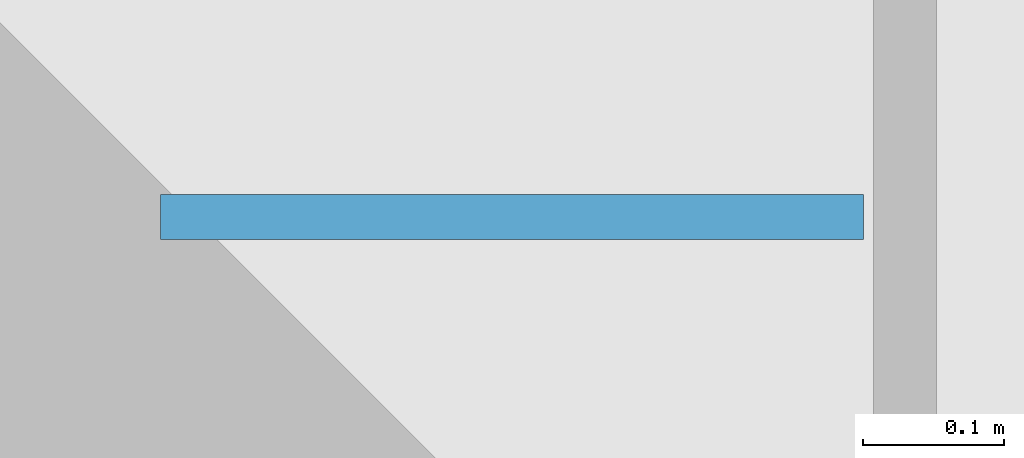
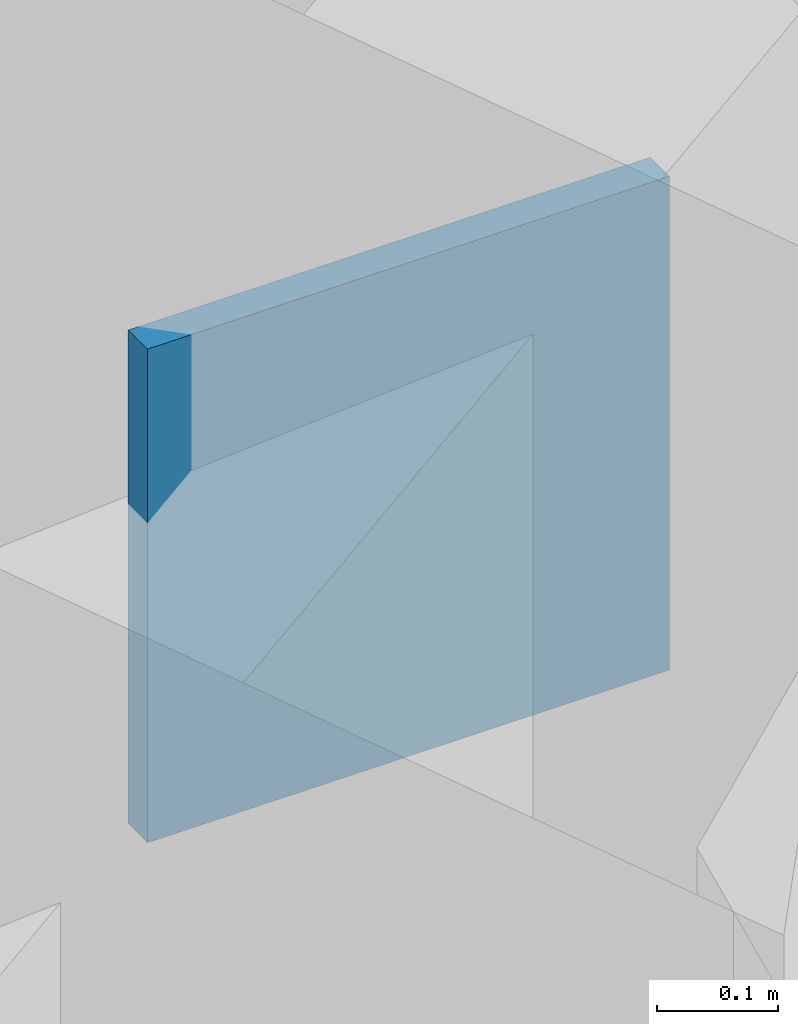
# One storey, part 28 of 45: 1 plate.
"""IFC4 building model written with IfcOpenShell, lengths in metres."""

import ifcopenshell
import ifcopenshell.guid

model = None  # the IFC model being written
_history = None  # IfcOwnerHistory: only IFC2X3 demands one
_inside = {}  # id of a spatial element -> (the spatial element, [elements in it])
_under = {}  # id of a project, library or spatial element -> (it, [spatial elements below it])
_declared = {}  # id of a project -> (the project, [libraries it declares])
_typed = {}  # id of a type object -> (the type object, [elements of that type])
_made_of = {}  # id of a material, layer set ... -> (it, [elements and type objects made of it])


def new_model(schema):
    """Start an empty IFC model of exactly this schema.

    Asked for "IFC4X3", IfcOpenShell would pick the latest addendum, in which some entities
    have other attributes; the version numbers below select the first issue.
    IFC2X3 requires an IfcOwnerHistory on every rooted entity: one is made here for all.
    """
    global model, _history
    if schema == "IFC4X3":
        model = ifcopenshell.file(schema_version=(4, 3, 0, 0))
    else:
        model = ifcopenshell.file(schema=schema)
    _inside.clear()
    _under.clear()
    _declared.clear()
    _typed.clear()
    _made_of.clear()
    _history = None
    if model.schema == "IFC2X3":
        org = make("IfcOrganization", Name="unknown")
        user = make(
            "IfcPersonAndOrganization",
            ThePerson=make("IfcPerson", FamilyName="unknown"),
            TheOrganization=org,
        )
        app = make(
            "IfcApplication",
            ApplicationDeveloper=org,
            Version="unknown",
            ApplicationFullName="unknown",
            ApplicationIdentifier="unknown",
        )
        _history = make(
            "IfcOwnerHistory",
            OwningUser=user,
            OwningApplication=app,
            ChangeAction="ADDED",
            CreationDate=0,
        )
    return model


def make(cls, **values):
    """One entity of the class cls with the attributes given. An attribute that is None is left unset."""
    return model.create_entity(
        cls, **{name: value for name, value in values.items() if value is not None}
    )


def rooted(cls, **values):
    """An entity with a GlobalId (a new one), such as an element, a storey or a relation."""
    return make(cls, GlobalId=ifcopenshell.guid.new(), OwnerHistory=_history, **values)


def si_unit(unit_type, name, prefix=None):
    """IfcSIUnit, for example si_unit("LENGTHUNIT", "METRE", prefix="MILLI")."""
    return make("IfcSIUnit", UnitType=unit_type, Prefix=prefix, Name=name)


def assignment(units):
    """IfcUnitAssignment: the units of a project."""
    return None if units is None else make("IfcUnitAssignment", Units=units)


def point(xyz):
    """IfcCartesianPoint."""
    return None if xyz is None else make("IfcCartesianPoint", Coordinates=xyz)


def direction(xyz):
    """IfcDirection."""
    return None if xyz is None else make("IfcDirection", DirectionRatios=xyz)


def frame(location, z_axis=None, x_axis=None):
    """IfcAxis2Placement3D, a coordinate frame: its origin and axes. An axis left out is left unset."""
    return make(
        "IfcAxis2Placement3D",
        Location=point(location),
        Axis=direction(z_axis),
        RefDirection=direction(x_axis),
    )


def frame_2d(location, x_axis=None):
    """IfcAxis2Placement2D, a coordinate frame in the plane: its origin and x axis."""
    return make(
        "IfcAxis2Placement2D", Location=point(location), RefDirection=direction(x_axis)
    )


def origin():
    """The frame at (0, 0, 0) with its axes left unset."""
    return frame((0.0, 0.0, 0.0))


def origin_2d():
    """The frame at (0, 0) in the plane with its x axis left unset."""
    return frame_2d((0.0, 0.0))


def place(relative_to, where):
    """IfcLocalPlacement: puts the frame where relative to a parent placement (None: the world)."""
    return make(
        "IfcLocalPlacement", PlacementRelTo=relative_to, RelativePlacement=where
    )


def context(
    kind, dimensions, precision=None, world=None, true_north=None, identifier=None
):
    """IfcGeometricRepresentationContext, for example the 3D "Model" context."""
    return make(
        "IfcGeometricRepresentationContext",
        ContextIdentifier=identifier,
        ContextType=kind,
        CoordinateSpaceDimension=dimensions,
        Precision=precision,
        WorldCoordinateSystem=world,
        TrueNorth=true_north,
    )


def subcontext(parent, identifier, kind, view, scale=None):
    """IfcGeometricRepresentationSubContext, for example "Body" below "Model"."""
    return make(
        "IfcGeometricRepresentationSubContext",
        ContextIdentifier=identifier,
        ContextType=kind,
        ParentContext=parent,
        TargetScale=scale,
        TargetView=view,
    )


def project(units=None, contexts=None):
    """IfcProject with its units and contexts."""
    return rooted(
        "IfcProject",
        Name="project",
        RepresentationContexts=contexts,
        UnitsInContext=assignment(units),
    )


def spatial(cls, under=None, at=None, **own):
    """A site, building, storey or space (cls), placed at a placement, below another one or the project."""
    s = rooted(cls, ObjectPlacement=at, **own)
    if under is not None:
        _under.setdefault(under.id(), (under, []))[1].append(s)
    return s


def profile(cls, at=None, kind="AREA", **sizes):
    """A parametric profile (cls). Its sizes go by their IFC names, for example OverallWidth=200.0."""
    return make(cls, ProfileType=kind, Position=at, **sizes)


def rectangle(**sizes):
    """IfcRectangleProfileDef."""
    return profile("IfcRectangleProfileDef", **sizes)


def extrude(swept, where, along, depth):
    """IfcExtrudedAreaSolid: the profile swept, set in the frame where, extruded along a direction by depth."""
    return make(
        "IfcExtrudedAreaSolid",
        SweptArea=swept,
        Position=where,
        ExtrudedDirection=direction(along),
        Depth=depth,
    )


def shape(context_of_items, identifier, shape_type, items):
    """IfcShapeRepresentation: the items that make up one representation, for example the "Body"."""
    return make(
        "IfcShapeRepresentation",
        ContextOfItems=context_of_items,
        RepresentationIdentifier=identifier,
        RepresentationType=shape_type,
        Items=items,
    )


def material(Name=None, Category=None):
    """IfcMaterial."""
    return make("IfcMaterial", Name=Name, Category=Category)


def layer(
    of_material, thickness, ventilated=None, Name=None, Category=None, Priority=None
):
    """IfcMaterialLayer: one layer of a wall or slab, of a material (None: an air gap)."""
    return make(
        "IfcMaterialLayer",
        Material=of_material,
        LayerThickness=thickness,
        IsVentilated=ventilated,
        Name=Name,
        Category=Category,
        Priority=Priority,
    )


def layer_set(layers, Name=None):
    """IfcMaterialLayerSet."""
    return make("IfcMaterialLayerSet", MaterialLayers=layers, LayerSetName=Name)


def made_of(thing, what):
    """Note that an element or type object is made of a material, layer set ...; save() writes the relation."""
    if what is not None:
        _made_of.setdefault(what.id(), (what, []))[1].append(thing)
    return thing


def type_object(cls, material=None, **own):
    """A type object (cls), such as IfcWallType, which elements share."""
    return made_of(rooted(cls, **own), material)


def element(
    cls,
    number,
    at=None,
    inside=None,
    cuts=None,
    type_object=None,
    material=None,
    context=None,
    identifier="Body",
    shape_type=None,
    held_by="IfcProductDefinitionShape",
    body=None,
    shapes=None,
    **own,
):
    """One element of the class cls, such as IfcWall. Its Tag is "e" and its number.

    at: its placement. inside: the storey or other place that contains it. cuts: it is an
    opening in that element (IfcRelVoidsElement). A single representation is given by context,
    identifier, shape_type and body (its items); several are given by shapes. held_by: the class
    of the entity that holds the representations. save() writes the other relations.
    """
    e = rooted(cls, Tag="e%d" % number, ObjectPlacement=at, **own)
    if body is not None:
        shapes = [shape(context, identifier, shape_type, body)]
    if shapes is not None:
        e.Representation = make(held_by, Representations=shapes)
    if inside is not None:
        _inside.setdefault(inside.id(), (inside, []))[1].append(e)
    if cuts is not None:
        rooted(
            "IfcRelVoidsElement", RelatingBuildingElement=cuts, RelatedOpeningElement=e
        )
    if type_object is not None:
        _typed.setdefault(type_object.id(), (type_object, []))[1].append(e)
    return made_of(e, material)


def aggregate(whole, parts):
    """IfcRelAggregates: a whole, such as a stair, and the parts it consists of."""
    return rooted("IfcRelAggregates", RelatingObject=whole, RelatedObjects=parts)


def save(model, path):
    """Write the relations noted so far, then the file.

    IfcRelAggregates (storeys below a building ...), IfcRelContainedInSpatialStructure (elements
    in a storey), IfcRelDefinesByType, IfcRelAssociatesMaterial and IfcRelDeclares: one each for
    every whole, place, type object, material and project.
    """
    for whole, parts in _under.values():
        aggregate(whole, parts)
    for where, things in _inside.values():
        rooted(
            "IfcRelContainedInSpatialStructure",
            RelatedElements=things,
            RelatingStructure=where,
        )
    for kind, things in _typed.values():
        rooted("IfcRelDefinesByType", RelatedObjects=things, RelatingType=kind)
    for what, things in _made_of.values():
        rooted("IfcRelAssociatesMaterial", RelatedObjects=things, RelatingMaterial=what)
    for by, libraries in _declared.values():
        rooted("IfcRelDeclares", RelatingContext=by, RelatedDefinitions=libraries)
    model.write(path)


model = new_model("IFC4")

# Units and contexts
model_context = context("Model", 3, precision=1e-05, world=origin(), true_north=direction((0.0, 1.0)))
body_context = subcontext(model_context, "Body", "Model", "MODEL_VIEW")
ifc_project = project(units=[si_unit("LENGTHUNIT", "METRE"), si_unit("AREAUNIT", "SQUARE_METRE"), si_unit("VOLUMEUNIT", "CUBIC_METRE"), si_unit("PLANEANGLEUNIT", "RADIAN"), si_unit("MASSUNIT", "GRAM", prefix="KILO")], contexts=[model_context])

# Site, building, storey
site_placement = place(None, origin())
site = spatial("IfcSite", under=ifc_project, at=site_placement, CompositionType="ELEMENT")
building_placement = place(site_placement, origin())
building = spatial("IfcBuilding", under=site, at=building_placement, Name="Punatoya Terracotta Tower", CompositionType="ELEMENT")
storey_placement = place(building_placement, frame((0.0, 0.0, 56.550048828125)))
storey = spatial("IfcBuildingStorey", under=building, at=storey_placement, Name="L12", CompositionType="ELEMENT", Elevation=56.550048828125)

# Plate
ifc_material = material(Name="Steel S460", Category="steel")
ifc_layer = layer(ifc_material, 0.031982421875)
ifc_layer_set = layer_set([ifc_layer], Name="Steel S460")
plate_type = type_object("IfcPlateType", Name="PLT-END-32", PredefinedType="USERDEFINED", material=ifc_layer_set)
plate_placement = place(storey_placement, frame((19.548095703125, 17.5, 0.182861328125), z_axis=(0.0, 0.0, 1.0), x_axis=(1.0, 0.0, 0.0)))
element("IfcPlate", 1, at=plate_placement, inside=storey, type_object=plate_type, Name="L13 Knee-Strut Base Gusset Plate E2", ObjectType="FLANGE_PLATE", PredefinedType="USERDEFINED", context=body_context, shape_type="SweptSolid", body=[
    extrude(rectangle(XDim=0.5, YDim=0.031982421875, at=origin_2d()), origin(), (0.0, 0.0, 1.0), 0.5),
])

save(model, "model.ifc")
